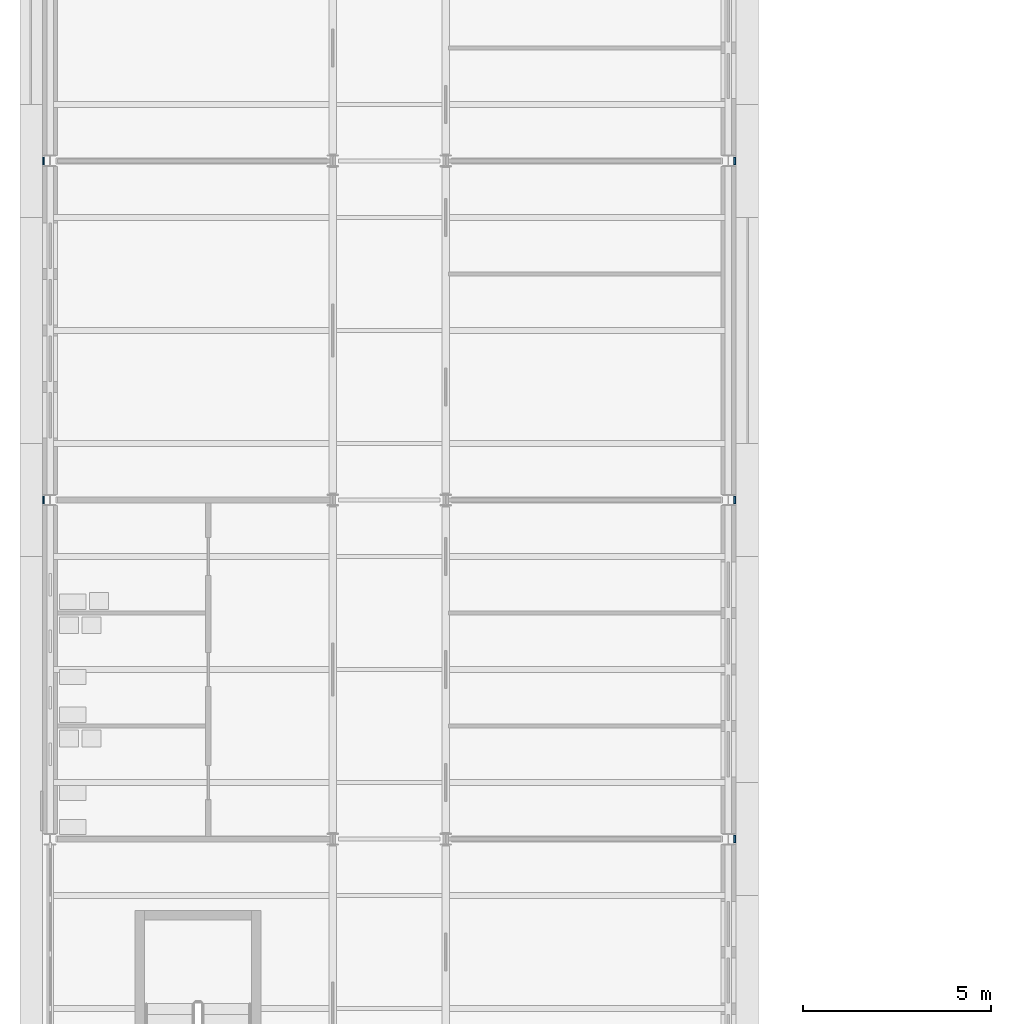
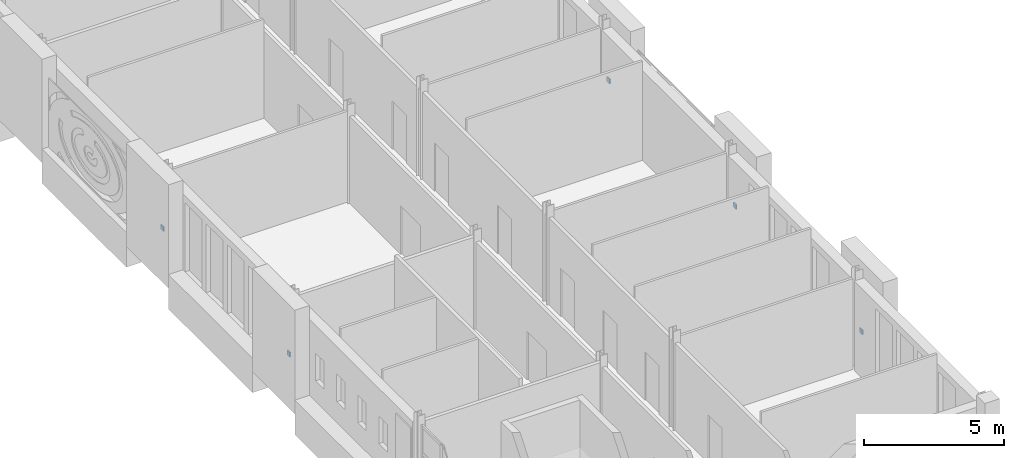
# One storey, part 97 of 131: 5 discrete accessories.
"""IFC4 building model written with IfcOpenShell, lengths in metres."""

from ifc_helpers import new_model, si_unit, direction, frame, origin, origin_2d, place, context, subcontext, project, spatial, rectangle, extrude, material, type_object, element, save


model = new_model("IFC4")

# Units and contexts
model_context = context("Model", 3, precision=1e-05, world=origin(), true_north=direction((0.0, 1.0)))
body_context = subcontext(model_context, "Body", "Model", "MODEL_VIEW")
ifc_project = project(units=[si_unit("LENGTHUNIT", "METRE"), si_unit("AREAUNIT", "SQUARE_METRE"), si_unit("VOLUMEUNIT", "CUBIC_METRE"), si_unit("PLANEANGLEUNIT", "RADIAN"), si_unit("MASSUNIT", "GRAM", prefix="KILO")], contexts=[model_context])

# Site, building, storey
site_placement = place(None, origin())
site = spatial("IfcSite", under=ifc_project, at=site_placement, CompositionType="ELEMENT")
building_placement = place(site_placement, origin())
building = spatial("IfcBuilding", under=site, at=building_placement, Name="Golden Quay Civic Hall", CompositionType="ELEMENT")
storey_placement = place(building_placement, frame((0.0, 0.0, 9.89990234375)))
storey = spatial("IfcBuildingStorey", under=building, at=storey_placement, Name="L02", CompositionType="ELEMENT", Elevation=9.89990234375)

# Discrete accessories
ifc_material = material(Name="Steel S355", Category="steel")
discrete_accessory_type = type_object("IfcDiscreteAccessoryType", Name="Pier fixing bracket 200 x 200", PredefinedType="BRACKET", material=ifc_material)
for number, where, z_axis, x_axis, name in (
    (1, (-0.175048828125, 9.0, 1.39990234375), (0.0, 0.0, 1.0), (0.0, -1.0, 0.0), "Pier fixing bracket 200 x 200 L02 1"),
    (2, (-0.175048828125, 18.0, 1.39990234375), (0.0, 0.0, 1.0), (0.0, -1.0, 0.0), "Pier fixing bracket 200 x 200 L02 2"),
    (3, (18.175048828125, 0.0, 1.39990234375), (0.0, 0.0, 1.0), (0.0, 1.0, 0.0), "Pier fixing bracket 200 x 200 L02 8"),
    (4, (18.175048828125, 9.0, 1.39990234375), (0.0, 0.0, 1.0), (0.0, 1.0, 0.0), "Pier fixing bracket 200 x 200 L02 9"),
    (5, (18.175048828125, 18.0, 1.39990234375), (0.0, 0.0, 1.0), (0.0, 1.0, 0.0), "Pier fixing bracket 200 x 200 L02 10"),
):
    element("IfcDiscreteAccessory", number, at=place(storey_placement, frame(where, z_axis=z_axis, x_axis=x_axis)), inside=storey, type_object=discrete_accessory_type, Name=name, PredefinedType="BRACKET", context=body_context, shape_type="SweptSolid", body=[
        extrude(rectangle(XDim=0.199951171875, YDim=0.050048828125, at=origin_2d()), origin(), (0.0, 0.0, 1.0), 0.199951171875),
    ])

save(model, "model.ifc")
